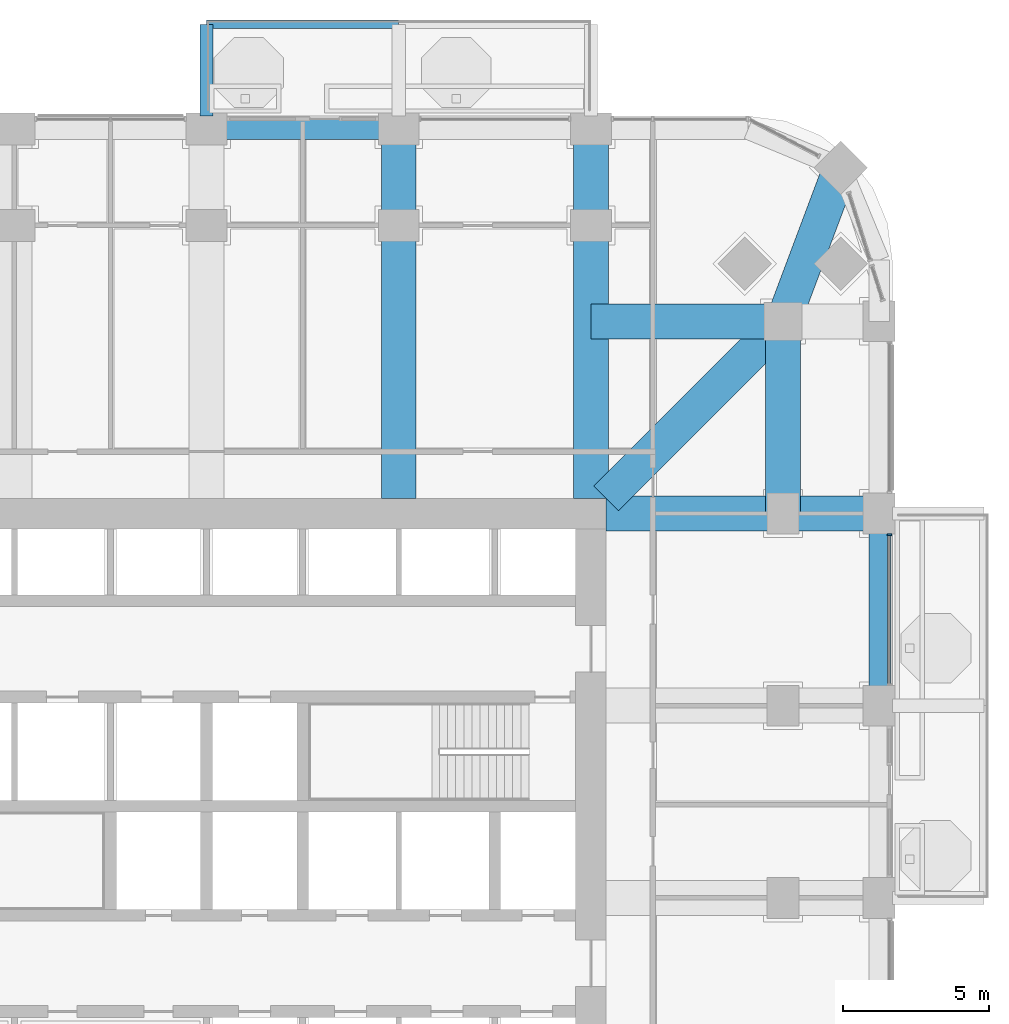
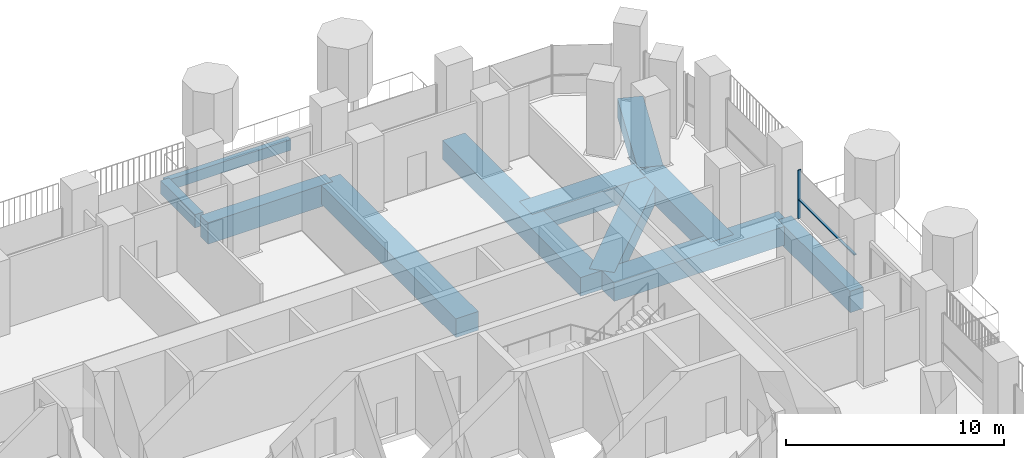
# One storey, part 7 of 22: 11 beams, 2 members, 1 element without a shape of its own.
"""IFC4 building model written with IfcOpenShell, lengths in metres."""

from ifc_helpers import new_model, si_unit, direction, frame, origin, origin_2d, place, context, subcontext, project, spatial, rectangle, extrude, material, material_profile, profile_set, type_object, element, aggregate, save


model = new_model("IFC4")

# Units and contexts
model_context = context("Model", 3, precision=1e-05, world=origin(), true_north=direction((0.0, 1.0)))
body_context = subcontext(model_context, "Body", "Model", "MODEL_VIEW")
ifc_project = project(units=[si_unit("LENGTHUNIT", "METRE"), si_unit("AREAUNIT", "SQUARE_METRE"), si_unit("VOLUMEUNIT", "CUBIC_METRE"), si_unit("PLANEANGLEUNIT", "RADIAN"), si_unit("MASSUNIT", "GRAM", prefix="KILO")], contexts=[model_context])

# Site, building, storey
site_placement = place(None, origin())
site = spatial("IfcSite", under=ifc_project, at=site_placement, CompositionType="ELEMENT")
building_placement = place(site_placement, origin())
building = spatial("IfcBuilding", under=site, at=building_placement, Name="Cobogo Forest Laboratory Tower", CompositionType="ELEMENT")
storey_placement = place(building_placement, frame((0.0, 0.0, 111.60009765625)))
storey = spatial("IfcBuildingStorey", under=building, at=storey_placement, Name="L25", CompositionType="ELEMENT", Elevation=111.60009765625)

# Beams
ifc_material_1 = material(Name="Concrete HA-40 (C40/50)", Category="concrete")
ifc_material_profile_1 = material_profile(ifc_material_1, rectangle(XDim=0.449951171875, YDim=0.75, at=origin_2d()), Name="RC 450x750")
ifc_profile_set_1 = profile_set([ifc_material_profile_1], Name="Concrete HA-40 (C40/50)")
beam_type_1 = type_object("IfcBeamType", Name="Balcony cantilever beam 450x750", PredefinedType="BEAM", material=ifc_profile_set_1)
beam_1_placement = place(storey_placement, frame((26.39990234375, 46.64990234375, -0.625), z_axis=(0.0, 1.0, 0.0), x_axis=(-1.0, 0.0, 0.0)))
element("IfcBeam", 1, at=beam_1_placement, inside=storey, type_object=beam_type_1, Name="CB1 BAL-N1-C1 L25", PredefinedType="BEAM", context=body_context, shape_type="SweptSolid", body=[
    extrude(rectangle(XDim=0.449951171875, YDim=0.75, at=origin_2d()), origin(), (0.0, 0.0, 1.0), 3.150146484375),
])
ifc_material_profile_2 = material_profile(ifc_material_1, rectangle(XDim=0.300048828125, YDim=0.60009765625, at=origin_2d()), Name="RC 300x600")
ifc_profile_set_2 = profile_set([ifc_material_profile_2], Name="Concrete HA-40 (C40/50)")
beam_type_2 = type_object("IfcBeamType", Name="Balcony edge beam 300x600", PredefinedType="BEAM", material=ifc_profile_set_2)
beam_2_placement = place(storey_placement, frame((26.39990234375, 49.800048828125, -0.550048828125), z_axis=(1.0, 0.0, 0.0), x_axis=(0.0, 1.0, 0.0)))
element("IfcBeam", 2, at=beam_2_placement, inside=storey, type_object=beam_type_2, Name="BB1 BAL-N1-T1 L25", PredefinedType="BEAM", context=body_context, shape_type="SweptSolid", body=[
    extrude(rectangle(XDim=0.300048828125, YDim=0.60009765625, at=origin_2d()), origin(), (0.0, 0.0, 1.0), 6.60009765625),
])
ifc_material_profile_3 = material_profile(ifc_material_1, rectangle(XDim=1.199951171875, YDim=1.050048828125, at=origin_2d()), Name="RC 1200x1050")
ifc_profile_set_3 = profile_set([ifc_material_profile_3], Name="Concrete HA-40 (C40/50)")
beam_type_3 = type_object("IfcBeamType", Name="Laboratory floor wide beam 1200x1050", PredefinedType="BEAM", material=ifc_profile_set_3)
for number, where, z_axis, x_axis, name in (
    (3, (33.0, 33.52490234375, -0.8251953125), (0.0, 1.0, 0.0), (-1.0, 0.0, 0.0), "RB1 R-6-N L25"),
    (4, (39.60009765625, 33.52490234375, -0.8251953125), (0.0, 1.0, 0.0), (-1.0, 0.0, 0.0), "RB1 R-7-N L25"),
):
    element("IfcBeam", number, at=place(storey_placement, frame(where, z_axis=z_axis, x_axis=x_axis)), inside=storey, type_object=beam_type_3, Name=name, PredefinedType="BEAM", context=body_context, shape_type="SweptSolid", body=[
        extrude(rectangle(XDim=1.199951171875, YDim=1.050048828125, at=origin_2d()), origin(), (0.0, 0.0, 1.0), 12.675048828125),
    ])
beam_3_placement = place(storey_placement, frame((40.125, 33.0, -0.8251953125), z_axis=(1.0, 0.0, 0.0), x_axis=(0.0, 1.0, 0.0)))
element("IfcBeam", 5, at=beam_3_placement, inside=storey, type_object=beam_type_3, Name="RB1 R-F-E L25", PredefinedType="BEAM", context=body_context, shape_type="SweptSolid", body=[
    extrude(rectangle(XDim=1.199951171875, YDim=1.050048828125, at=origin_2d()), origin(), (0.0, 0.0, 1.0), 9.375),
])
beam_4_placement = place(storey_placement, frame((46.199951171875, 39.60009765625, -0.8251953125), z_axis=(0.0, -1.0, 0.0), x_axis=(1.0, 0.0, 0.0)))
element("IfcBeam", 6, at=beam_4_placement, inside=storey, type_object=beam_type_3, Name="RB1 G-NE-XC L25", PredefinedType="BEAM", context=body_context, shape_type="SweptSolid", body=[
    extrude(rectangle(XDim=1.199951171875, YDim=1.050048828125, at=origin_2d()), origin(), (0.0, 0.0, 1.0), 6.60009765625),
])
beam_5_placement = place(storey_placement, frame((46.199951171875, 39.60009765625, -0.8251953125), z_axis=(-1.0, 0.0, 0.0), x_axis=(0.0, -1.0, 0.0)))
element("IfcBeam", 7, at=beam_5_placement, inside=storey, type_object=beam_type_3, Name="RB1 G-NE-YC L25", PredefinedType="BEAM", context=body_context, shape_type="SweptSolid", body=[
    extrude(rectangle(XDim=1.199951171875, YDim=1.050048828125, at=origin_2d()), origin(), (0.0, 0.0, 1.0), 6.599853515625),
])
beam_6_placement = place(storey_placement, frame((48.181884765625, 44.882080078125, -0.8251953125), z_axis=(-0.351308391925, -0.936259800356, 0.0), x_axis=(0.936259800356, -0.351308391925, 0.0)))
element("IfcBeam", 8, at=beam_6_placement, inside=storey, type_object=beam_type_3, Name="RB1 G-NE-D1 L25", PredefinedType="BEAM", context=body_context, shape_type="SweptSolid", body=[
    extrude(rectangle(XDim=1.199951171875, YDim=1.050048828125, at=origin_2d()), origin(), (0.0, 0.0, 1.0), 5.6416015625),
])
beam_7_placement = place(storey_placement, frame((46.199951171875, 39.60009765625, -0.8251953125), z_axis=(-0.707092572697, -0.70712098939, 0.0), x_axis=(0.70712098939, -0.707092572697, 0.0)))
element("IfcBeam", 9, at=beam_7_placement, inside=storey, type_object=beam_type_3, Name="RB1 G-NE-D2 L25", PredefinedType="BEAM", context=body_context, shape_type="SweptSolid", body=[
    extrude(rectangle(XDim=1.199951171875, YDim=1.050048828125, at=origin_2d()), origin(), (0.0, 0.0, 1.0), 8.591552734375),
])

# Curtain wall, member
ifc_material_2 = material(Name="Aluminium curtain wall", Category="aluminium")
curtain_wall_type = type_object("IfcCurtainWallType", Name="CW-1 unitised curtain wall, clear glazing, laboratory floors zones A and B", PredefinedType="USERDEFINED", material=ifc_material_2)
curtain_wall_placement = place(storey_placement, origin())
curtain_wall = element("IfcCurtainWall", 10, at=curtain_wall_placement, inside=storey, type_object=curtain_wall_type, Name="Curtain wall 13 L25", ObjectType="UNITISED CURTAIN WALL", PredefinedType="USERDEFINED")
ifc_material_3 = material(Name="Aluminium mullion", Category="aluminium")
ifc_material_profile_4 = material_profile(ifc_material_3, rectangle(XDim=0.06005859375, YDim=0.159912109375, at=origin_2d()), Name="AL 60x160")
ifc_profile_set_4 = profile_set([ifc_material_profile_4], Name="Aluminium mullion")
member_type_1 = type_object("IfcMemberType", Name="MU-1 aluminium mullion 60x160", PredefinedType="MULLION", material=ifc_profile_set_4)
member_1_placement = place(storey_placement, frame((49.85009765625, 32.27001953125, 0.0), z_axis=(0.0, 0.0, 1.0), x_axis=(0.0, 1.0, 0.0)))
member_1 = element("IfcMember", 11, at=member_1_placement, type_object=member_type_1, Name="CW-1 mullion 2", PredefinedType="MULLION", context=body_context, shape_type="SweptSolid", body=[
    extrude(rectangle(XDim=0.06005859375, YDim=0.159912109375, at=origin_2d()), origin(), (0.0, 0.0, 1.0), 2.699951171875),
])

# Beams
ifc_material_profile_5 = material_profile(ifc_material_1, rectangle(XDim=0.699951171875, YDim=1.199951171875, at=origin_2d()), Name="RC 700x1200")
ifc_profile_set_5 = profile_set([ifc_material_profile_5], Name="Concrete HA-40 (C40/50)")
beam_type_4 = type_object("IfcBeamType", Name="Perimeter edge beam 700x1200", PredefinedType="BEAM", material=ifc_profile_set_5)
for number, where, z_axis, x_axis, name in (
    (12, (49.5, 26.39990234375, -0.900146484375), (0.0, 1.0, 0.0), (-1.0, 0.0, 0.0), "EB1 E-E4 L25"),
    (13, (26.39990234375, 46.199951171875, -0.900146484375), (1.0, 0.0, 0.0), (0.0, 1.0, 0.0), "EB1 E-N3 L25"),
):
    element("IfcBeam", number, at=place(storey_placement, frame(where, z_axis=z_axis, x_axis=x_axis)), inside=storey, type_object=beam_type_4, Name=name, PredefinedType="BEAM", context=body_context, shape_type="SweptSolid", body=[
        extrude(rectangle(XDim=0.699951171875, YDim=1.199951171875, at=origin_2d()), origin(), (0.0, 0.0, 1.0), 6.60009765625),
    ])

# Member
ifc_material_4 = material(Name="Aluminium transom", Category="aluminium")
ifc_material_profile_6 = material_profile(ifc_material_4, rectangle(XDim=0.1201171875, YDim=0.06005859375, at=origin_2d()), Name="AL 60x120")
ifc_profile_set_6 = profile_set([ifc_material_profile_6], Name="Aluminium transom")
member_type_2 = type_object("IfcMemberType", Name="TR-1 aluminium transom 60x120", PredefinedType="USERDEFINED", material=ifc_profile_set_6)
member_2_placement = place(storey_placement, frame((49.85009765625, 27.159912109375, 1.0498046875), z_axis=(0.0, 1.0, 0.0), x_axis=(-1.0, 0.0, 0.0)))
member_2 = element("IfcMember", 14, at=member_2_placement, type_object=member_type_2, Name="CW-1 transom 1.1", ObjectType="TRANSOM", PredefinedType="USERDEFINED", context=body_context, shape_type="SweptSolid", body=[
    extrude(rectangle(XDim=0.1201171875, YDim=0.06005859375, at=origin_2d()), origin(), (0.0, 0.0, 1.0), 5.080078125),
])

aggregate(curtain_wall, [member_1, member_2])

save(model, "model.ifc")
